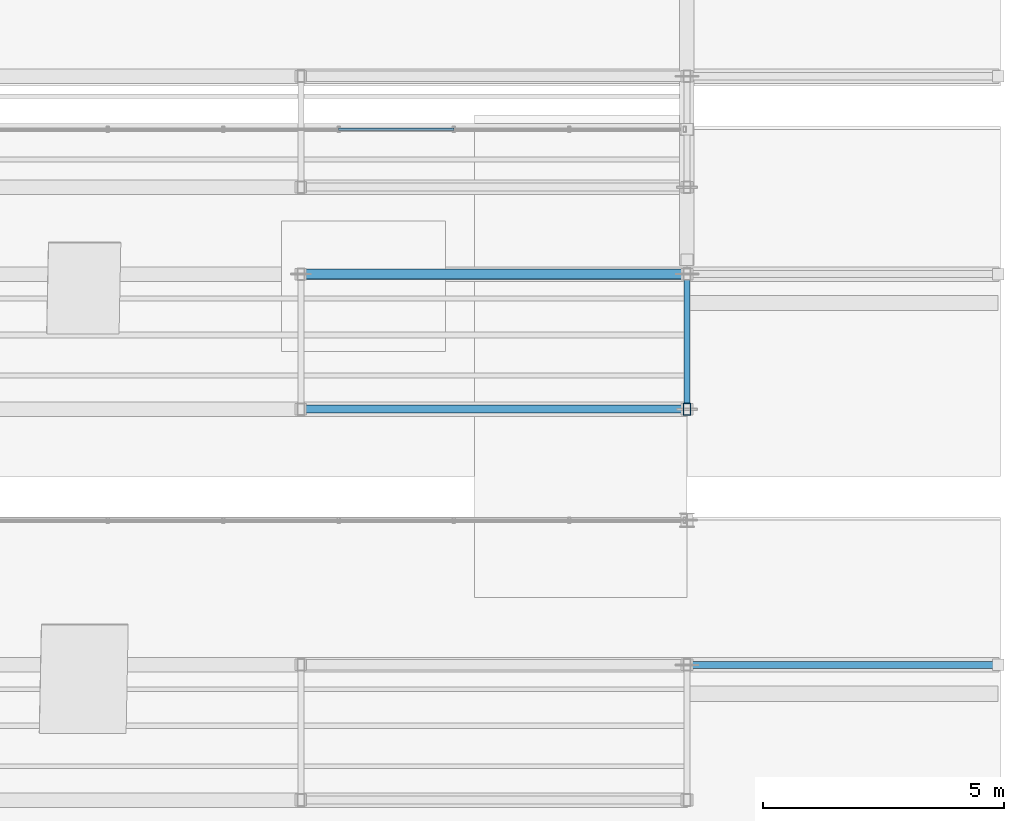
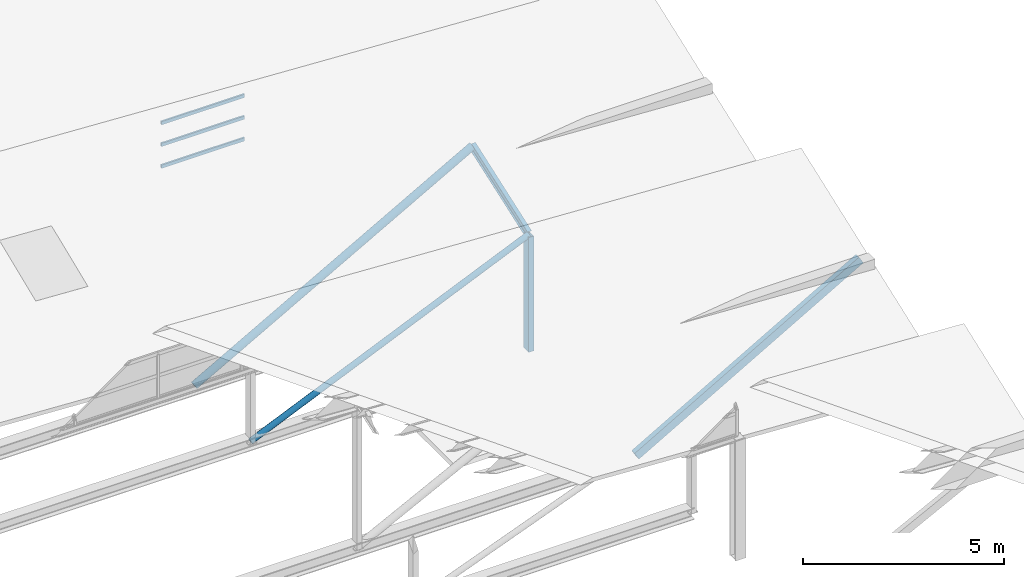
# One storey, part 120 of 141: 8 members, 1 element without a shape of its own.
"""IFC4 building model written with IfcOpenShell, lengths in metres."""

from ifc_helpers import new_model, si_unit, direction, frame, origin, origin_2d, place, context, subcontext, project, spatial, hollow_rectangle, hollow_circle, i_section, extrude, material, material_profile, profile_set, type_object, element, aggregate, save


model = new_model("IFC4")

# Units and contexts
model_context = context("Model", 3, precision=1e-05, world=origin(), true_north=direction((0.0, 1.0)))
body_context = subcontext(model_context, "Body", "Model", "MODEL_VIEW")
ifc_project = project(units=[si_unit("LENGTHUNIT", "METRE"), si_unit("AREAUNIT", "SQUARE_METRE"), si_unit("VOLUMEUNIT", "CUBIC_METRE"), si_unit("PLANEANGLEUNIT", "RADIAN"), si_unit("MASSUNIT", "GRAM", prefix="KILO")], contexts=[model_context])

# Site, building, storey
site_placement = place(None, origin())
site = spatial("IfcSite", under=ifc_project, at=site_placement, CompositionType="ELEMENT")
building_placement = place(site_placement, origin())
building = spatial("IfcBuilding", under=site, at=building_placement, Name="Sundkrona Museum", CompositionType="ELEMENT")
storey_placement = place(building_placement, frame((0.0, 0.0, 34.0)))
storey = spatial("IfcBuildingStorey", under=building, at=storey_placement, Name="RF", CompositionType="ELEMENT", Elevation=34.0)

# Members
ifc_material_1 = material(Name="Steel S355J2", Category="steel")
ifc_material_profile_1 = material_profile(ifc_material_1, i_section(OverallWidth=0.1201171875, OverallDepth=0.239990234375, WebThickness=0.006103515625, FlangeThickness=0.009765625, FilletRadius=0.014892578125, at=origin_2d()), Name="IPE 240")
ifc_profile_set_1 = profile_set([ifc_material_profile_1], Name="Steel S355J2")
member_type_1 = type_object("IfcMemberType", Name="PR-IPE240", PredefinedType="PURLIN", material=ifc_profile_set_1)
member_1_placement = place(storey_placement, frame((168.0, 36.89990234375, 3.23681640625), z_axis=(0.0, 0.942729033287, 0.333559544605), x_axis=(-1.0, 0.0, 0.0)))
element("IfcMember", 1, at=member_1_placement, inside=storey, type_object=member_type_1, Name="RFS-1 Sawtooth Bay 6 Transverse Rafter 7", PredefinedType="PURLIN", context=body_context, shape_type="SweptSolid", body=[
    extrude(i_section(OverallWidth=0.1201171875, OverallDepth=0.239990234375, WebThickness=0.006103515625, FlangeThickness=0.009765625, FilletRadius=0.014892578125, at=origin_2d()), origin(), (0.0, 0.0, 1.0), 2.97021484375),
])
ifc_material_profile_2 = material_profile(ifc_material_1, hollow_circle(Radius=0.084228515625, WallThickness=0.008056640625, at=origin_2d()), Name="CHS 168.3x8.0")
ifc_profile_set_2 = profile_set([ifc_material_profile_2], Name="Steel S355J2")
member_type_2 = type_object("IfcMemberType", Name="ST-CHS168", PredefinedType="STRUT", material=ifc_profile_set_2)
member_2_placement = place(storey_placement, frame((160.0, 36.89990234375, -0.25), z_axis=(0.916711203901, 0.0, 0.399550458194), x_axis=(0.0, 1.0, 0.0)))
element("IfcMember", 2, at=member_2_placement, inside=storey, type_object=member_type_2, Name="RFS-1 Sawtooth Valley Truss 6 Web Strut 6", PredefinedType="STRUT", context=body_context, shape_type="SweptSolid", body=[
    extrude(hollow_circle(Radius=0.084228515625, WallThickness=0.008056640625, at=origin_2d()), origin(), (0.0, 0.0, 1.0), 8.726806640625),
])
ifc_material_profile_3 = material_profile(ifc_material_1, hollow_circle(Radius=0.109619140625, WallThickness=0.010009765625, at=origin_2d()), Name="CHS 219.1x10.0")
ifc_profile_set_3 = profile_set([ifc_material_profile_3], Name="Steel S355J2")
member_type_3 = type_object("IfcMemberType", Name="ST-CHS219", PredefinedType="STRUT", material=ifc_profile_set_3)
member_3_placement = place(storey_placement, frame((160.0, 39.699951171875, -0.25), z_axis=(0.872620427543, 0.0, 0.488399006382), x_axis=(0.0, 1.0, 0.0)))
element("IfcMember", 3, at=member_3_placement, inside=storey, type_object=member_type_3, Name="RFS-1 Sawtooth Truss 6 Web Strut 6", PredefinedType="STRUT", context=body_context, shape_type="SweptSolid", body=[
    extrude(hollow_circle(Radius=0.109619140625, WallThickness=0.010009765625, at=origin_2d()), origin(), (0.0, 0.0, 1.0), 9.167724609375),
])
ifc_material_profile_4 = material_profile(ifc_material_1, hollow_rectangle(XDim=0.14990234375, YDim=0.25, WallThickness=0.010009765625, at=origin_2d()), Name="RHS 250x150x10.0")
ifc_profile_set_4 = profile_set([ifc_material_profile_4], Name="Steel S355J2")
member_type_4 = type_object("IfcMemberType", Name="ST-RHS250", PredefinedType="STRUT", material=ifc_profile_set_4)
member_4_placement = place(storey_placement, frame((168.0, 31.60009765625, -0.25), z_axis=(0.866919419206, 0.0, 0.498448312871), x_axis=(0.0, 1.0, 0.0)))
element("IfcMember", 4, at=member_4_placement, inside=storey, type_object=member_type_4, Name="RFS-1 Sawtooth Truss 5 East Knee Strut", PredefinedType="STRUT", context=body_context, shape_type="SweptSolid", body=[
    extrude(hollow_rectangle(XDim=0.14990234375, YDim=0.25, WallThickness=0.010009765625, at=origin_2d()), origin(), (0.0, 0.0, 1.0), 7.440185546875),
])
member_5_placement = place(storey_placement, frame((168.0, 36.89990234375, -0.25), z_axis=(0.0, 0.0, 1.0), x_axis=(1.0, 0.0, 0.0)))
element("IfcMember", 5, at=member_5_placement, inside=storey, type_object=member_type_4, Name="RFS-1 Sawtooth Bay 6 Valley Post 7", PredefinedType="STRUT", context=body_context, shape_type="SweptSolid", body=[
    extrude(hollow_rectangle(XDim=0.14990234375, YDim=0.25, WallThickness=0.010009765625, at=origin_2d()), origin(), (0.0, 0.0, 1.0), 3.48681640625),
])

# Curtain wall, members
ifc_material_2 = material(Name="Unitised Aluminium-Steel and Ceramic-Clad Curtain Walling", Category="steel")
curtain_wall_type = type_object("IfcCurtainWallType", Name="CW-SW-240x13", PredefinedType="NOTDEFINED", material=ifc_material_2)
curtain_wall_placement = place(storey_placement, origin())
curtain_wall = element("IfcCurtainWall", 6, at=curtain_wall_placement, inside=storey, type_object=curtain_wall_type, Name="Sawtooth Bay 6 East North-Light Clerestory", PredefinedType="NOTDEFINED")
ifc_material_3 = material(Name="Aluminium EN AW-6060 T66", Category="aluminium")
ifc_material_profile_5 = material_profile(ifc_material_3, hollow_rectangle(XDim=0.050048828125, YDim=0.10009765625, WallThickness=0.0048828125, at=origin_2d()), Name="RHS 100x50x5.0")
ifc_profile_set_5 = profile_set([ifc_material_profile_5], Name="Aluminium EN AW-6060 T66")
member_type_5 = type_object("IfcMemberType", Name="TR-100", PredefinedType="USERDEFINED", material=ifc_profile_set_5)
member_6_placement = place(storey_placement, frame((160.780029296875, 42.699951171875, 4.31298828125), z_axis=(1.0, 0.0, 0.0), x_axis=(0.0, 1.0, 0.0)))
member_6 = element("IfcMember", 7, at=member_6_placement, type_object=member_type_5, Name="CW-RF-SAW-06E Transom 22", ObjectType="TRANSOM", PredefinedType="USERDEFINED", context=body_context, shape_type="SweptSolid", body=[
    extrude(hollow_rectangle(XDim=0.050048828125, YDim=0.10009765625, WallThickness=0.0048828125, at=origin_2d()), origin(), (0.0, 0.0, 1.0), 2.389892578125),
])
member_7_placement = place(storey_placement, frame((160.780029296875, 42.699951171875, 4.972900390625), z_axis=(1.0, 0.0, 0.0), x_axis=(0.0, 1.0, 0.0)))
member_7 = element("IfcMember", 8, at=member_7_placement, type_object=member_type_5, Name="CW-RF-SAW-06E Transom 23", ObjectType="TRANSOM", PredefinedType="USERDEFINED", context=body_context, shape_type="SweptSolid", body=[
    extrude(hollow_rectangle(XDim=0.050048828125, YDim=0.10009765625, WallThickness=0.0048828125, at=origin_2d()), origin(), (0.0, 0.0, 1.0), 2.389892578125),
])
member_8_placement = place(storey_placement, frame((160.780029296875, 42.699951171875, 5.633056640625), z_axis=(1.0, 0.0, 0.0), x_axis=(0.0, 1.0, 0.0)))
member_8 = element("IfcMember", 9, at=member_8_placement, type_object=member_type_5, Name="CW-RF-SAW-06E Transom 24", ObjectType="TRANSOM", PredefinedType="USERDEFINED", context=body_context, shape_type="SweptSolid", body=[
    extrude(hollow_rectangle(XDim=0.050048828125, YDim=0.10009765625, WallThickness=0.0048828125, at=origin_2d()), origin(), (0.0, 0.0, 1.0), 2.389892578125),
])
aggregate(curtain_wall, [member_6, member_7, member_8])

save(model, "model.ifc")
